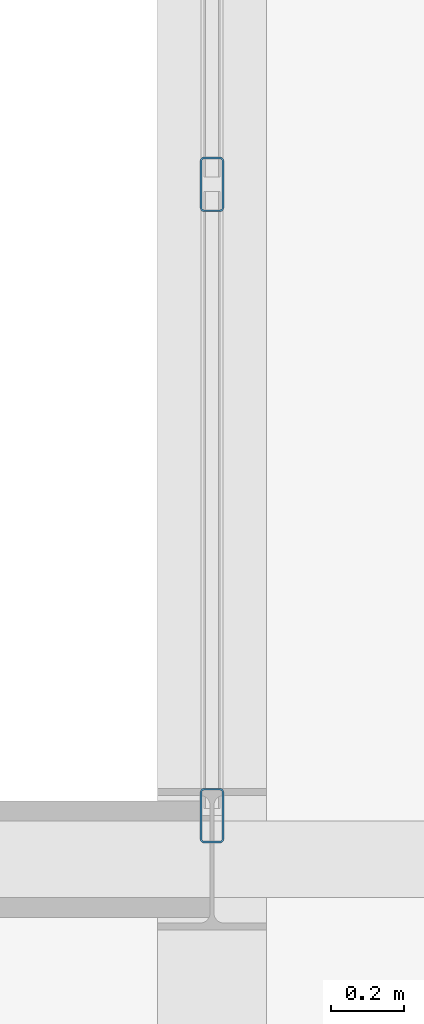
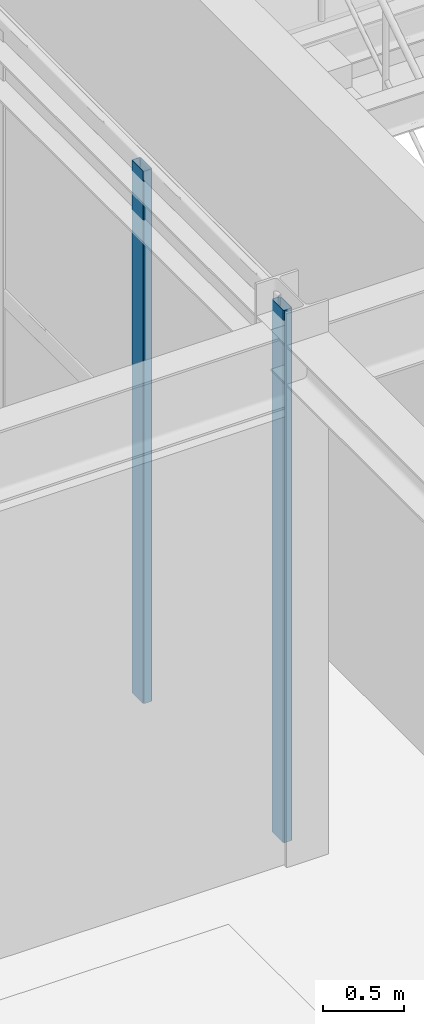
# One storey, part 72 of 134: 2 members, 1 element without a shape of its own.
"""IFC4 building model written with IfcOpenShell, lengths in metres."""

from ifc_helpers import new_model, si_unit, derived_unit, direction, frame, origin, origin_2d, place, context, subcontext, project, spatial, hollow_rectangle, extrude, material, material_profile, profile_set, type_object, element, aggregate, save


model = new_model("IFC4")

# Units and contexts
model_context = context("Model", 3, precision=1e-05, world=origin(), true_north=direction((0.0, 1.0)))
body_context = subcontext(model_context, "Body", "Model", "MODEL_VIEW")
ifc_project = project(units=[si_unit("LENGTHUNIT", "METRE"), si_unit("AREAUNIT", "SQUARE_METRE"), si_unit("VOLUMEUNIT", "CUBIC_METRE"), si_unit("PLANEANGLEUNIT", "RADIAN"), si_unit("MASSUNIT", "GRAM", prefix="KILO"), derived_unit("THERMALTRANSMITTANCEUNIT", [(si_unit("MASSUNIT", "GRAM", prefix="KILO"), 1), (si_unit("TIMEUNIT", "SECOND"), -3), (si_unit("THERMODYNAMICTEMPERATUREUNIT", "KELVIN"), -1)])], contexts=[model_context])

# Site, building, storey
site_placement = place(None, origin())
site = spatial("IfcSite", under=ifc_project, at=site_placement, CompositionType="ELEMENT")
building_placement = place(site_placement, origin())
building = spatial("IfcBuilding", under=site, at=building_placement, Name="Kharveza Railside Sports Centre", CompositionType="ELEMENT")
storey_placement = place(building_placement, frame((0.0, 0.0, 12.89990234375)))
storey = spatial("IfcBuildingStorey", under=building, at=storey_placement, Name="L03", CompositionType="ELEMENT", Elevation=12.89990234375)

# Curtain wall, members
ifc_material_1 = material(Name="Low-E solar-control laminated glass", Category="glass")
curtain_wall_type = type_object("IfcCurtainWallType", Name="CW-WG02", PredefinedType="NOTDEFINED", material=ifc_material_1)
curtain_wall_placement = place(storey_placement, origin())
curtain_wall = element("IfcCurtainWall", 1, at=curtain_wall_placement, inside=storey, type_object=curtain_wall_type, Name="CW-WG-L03-CW-WG02-X1428-Y396", PredefinedType="NOTDEFINED")
ifc_material_2 = material(Name="Anodised aluminium 6063-T6", Category="aluminium")
ifc_material_profile = material_profile(ifc_material_2, hollow_rectangle(XDim=0.06494140625, YDim=0.14990234375, WallThickness=0.0048828125, InnerFilletRadius=0.0048828125, OuterFilletRadius=0.010009765625, at=origin_2d()), Name="RHS 65x150x5.0")
ifc_profile_set = profile_set([ifc_material_profile], Name="Anodised aluminium 6063-T6")
member_type = type_object("IfcMemberType", Name="CW-ML04", PredefinedType="MULLION", material=ifc_profile_set)
member_1_placement = place(storey_placement, frame((142.800048828125, 37.860107421875, 0.0), z_axis=(0.0, 0.0, 1.0), x_axis=(1.0, 0.0, 0.0)))
member_1 = element("IfcMember", 2, at=member_1_placement, type_object=member_type, Name="CW-WG-L03-CW-WG02-X1428-Y396-ML4", PredefinedType="MULLION", context=body_context, shape_type="SweptSolid", body=[
    extrude(hollow_rectangle(XDim=0.06494140625, YDim=0.14990234375, WallThickness=0.0048828125, InnerFilletRadius=0.0048828125, OuterFilletRadius=0.010009765625, at=origin_2d()), origin(), (0.0, 0.0, 1.0), 4.03515625),
])
member_2_placement = place(storey_placement, frame((142.800048828125, 36.1201171875, 0.0), z_axis=(0.0, 0.0, 1.0), x_axis=(1.0, 0.0, 0.0)))
member_2 = element("IfcMember", 3, at=member_2_placement, type_object=member_type, Name="CW-WG-L03-CW-WG02-X1428-Y396-ML5", PredefinedType="MULLION", context=body_context, shape_type="SweptSolid", body=[
    extrude(hollow_rectangle(XDim=0.06494140625, YDim=0.14990234375, WallThickness=0.0048828125, InnerFilletRadius=0.0048828125, OuterFilletRadius=0.010009765625, at=origin_2d()), origin(), (0.0, 0.0, 1.0), 4.03515625),
])
aggregate(curtain_wall, [member_1, member_2])

save(model, "model.ifc")
